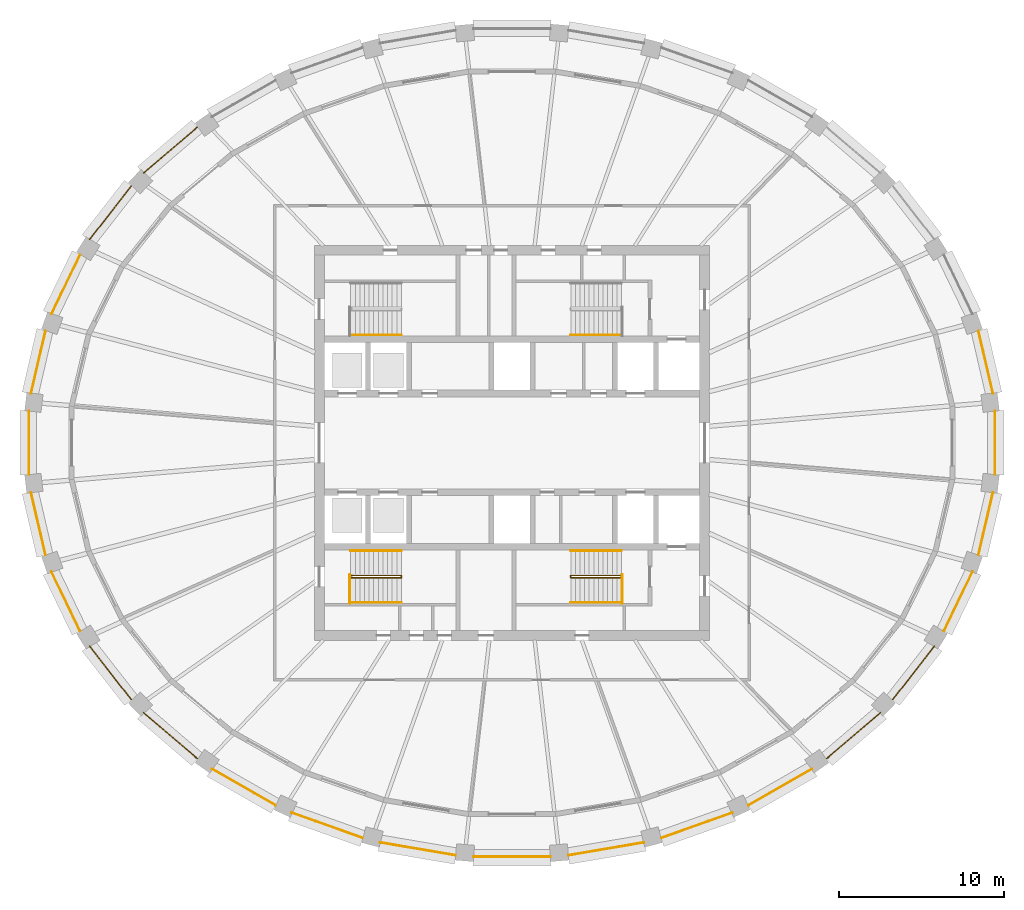
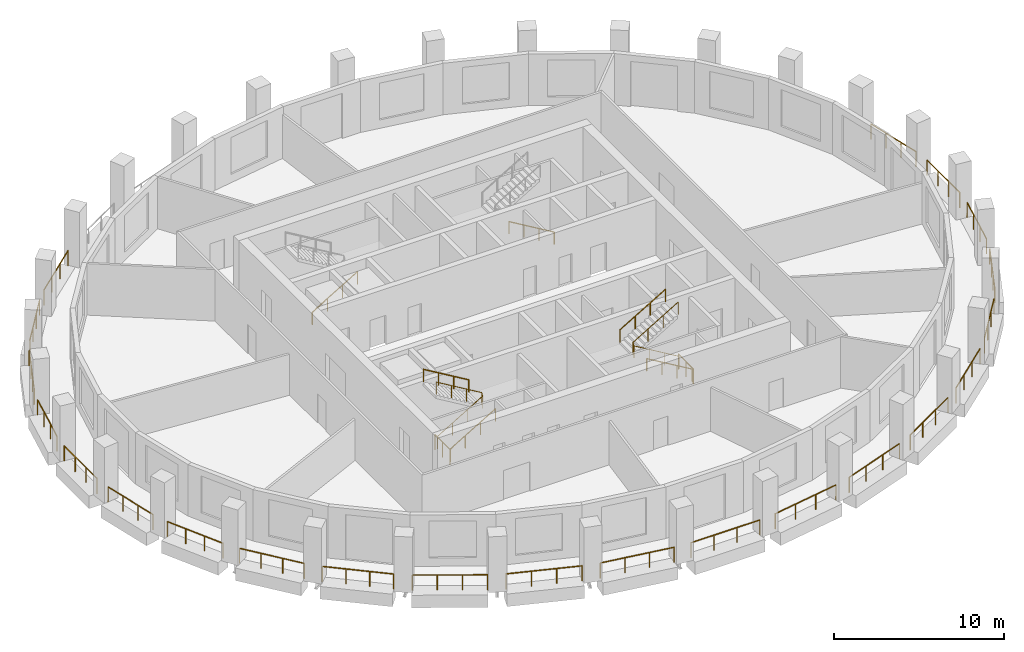
# One storey, part 8 of 10: 32 railings.
"""IFC4 building model written with IfcOpenShell, lengths in metres."""

from ifc_helpers import new_model, si_unit, direction, frame, origin, origin_2d, place, context, subcontext, project, spatial, circle, extrude, material, type_object, element, save


model = new_model("IFC4")

# Units and contexts
model_context = context("Model", 3, precision=1e-05, world=origin(), true_north=direction((0.0, 1.0)))
body_context = subcontext(model_context, "Body", "Model", "MODEL_VIEW")
ifc_project = project(units=[si_unit("LENGTHUNIT", "METRE"), si_unit("AREAUNIT", "SQUARE_METRE"), si_unit("VOLUMEUNIT", "CUBIC_METRE"), si_unit("PLANEANGLEUNIT", "RADIAN"), si_unit("MASSUNIT", "GRAM", prefix="KILO")], contexts=[model_context])

# Site, building, storey
site_placement = place(None, origin())
site = spatial("IfcSite", under=ifc_project, at=site_placement, CompositionType="ELEMENT")
building_placement = place(site_placement, origin())
building = spatial("IfcBuilding", under=site, at=building_placement, Name="Halqa Exchange Tower", CompositionType="ELEMENT")
storey_placement = place(building_placement, frame((0.0, 0.0, 288.300048828125)))
storey = spatial("IfcBuildingStorey", under=building, at=storey_placement, Name="L67", CompositionType="ELEMENT", Elevation=288.300048828125)

# Railings
ifc_material = material(Name="Stainless steel", Category="steel")
railing_type_1 = type_object("IfcRailingType", Name="Guard 1100 stainless steel", PredefinedType="GUARDRAIL", material=ifc_material)
railing_1_placement = place(storey_placement, frame((29.212890625, 3.012451171875, 0.0)))
element("IfcRailing", 1, at=railing_1_placement, inside=storey, type_object=railing_type_1, Name="Loggia guard 1", PredefinedType="GUARDRAIL", context=body_context, shape_type="SweptSolid", body=[
    extrude(circle(Radius=0.02392578125, at=origin_2d()), frame((0.0, 0.0, 1.076171875), z_axis=(-0.226038186418, 0.974118441608, 0.0), x_axis=(-0.974118441608, -0.226038186418, 0.0)), (0.0, 0.0, 1.0), 3.88720703125),
    extrude(circle(Radius=0.02099609375, at=origin_2d()), origin(), (0.0, 0.0, 1.0), 1.052001953125),
    extrude(circle(Radius=0.02099609375, at=origin_2d()), frame((-0.29296875, 1.26220703125, 0.0)), (0.0, 0.0, 1.0), 1.052001953125),
    extrude(circle(Radius=0.02099609375, at=origin_2d()), frame((-0.585693359375, 2.5244140625, 0.0)), (0.0, 0.0, 1.0), 1.052001953125),
    extrude(circle(Radius=0.02099609375, at=origin_2d()), frame((-0.878662109375, 3.78662109375, 0.0)), (0.0, 0.0, 1.0), 1.052001953125),
])
railing_2_placement = place(storey_placement, frame((-19.118896484375, 19.174560546875, 0.0)))
element("IfcRailing", 2, at=railing_2_placement, inside=storey, type_object=railing_type_1, Name="Loggia guard 12", PredefinedType="GUARDRAIL", context=body_context, shape_type="SweptSolid", body=[
    extrude(circle(Radius=0.02392578125, at=origin_2d()), frame((0.0, 0.0, 1.076171875), z_axis=(-0.759244528855, -0.650805458953, 0.0), x_axis=(0.650805458953, -0.759244528855, 0.0)), (0.0, 0.0, 1.0), 4.2822265625),
    extrude(circle(Radius=0.02099609375, at=origin_2d()), origin(), (0.0, 0.0, 1.0), 1.052001953125),
    extrude(circle(Radius=0.02099609375, at=origin_2d()), frame((-1.083740234375, -0.928955078125, 0.0)), (0.0, 0.0, 1.0), 1.052001953125),
    extrude(circle(Radius=0.02099609375, at=origin_2d()), frame((-2.16748046875, -1.85791015625, 0.0)), (0.0, 0.0, 1.0), 1.052001953125),
    extrude(circle(Radius=0.02099609375, at=origin_2d()), frame((-3.251220703125, -2.786865234375, 0.0)), (0.0, 0.0, 1.0), 1.052001953125),
])
railing_3_placement = place(storey_placement, frame((-23.1259765625, 15.595947265625, 0.0)))
element("IfcRailing", 3, at=railing_3_placement, inside=storey, type_object=railing_type_1, Name="Loggia guard 13", PredefinedType="GUARDRAIL", context=body_context, shape_type="SweptSolid", body=[
    extrude(circle(Radius=0.02392578125, at=origin_2d()), frame((0.0, 0.0, 1.076171875), z_axis=(-0.61485870665, -0.78863728726, 0.0), x_axis=(0.78863728726, -0.61485870665, 0.0)), (0.0, 0.0, 1.0), 4.1220703125),
    extrude(circle(Radius=0.02099609375, at=origin_2d()), origin(), (0.0, 0.0, 1.0), 1.052001953125),
    extrude(circle(Radius=0.02099609375, at=origin_2d()), frame((-0.8447265625, -1.08349609375, 0.0)), (0.0, 0.0, 1.0), 1.052001953125),
    extrude(circle(Radius=0.02099609375, at=origin_2d()), frame((-1.689697265625, -2.167236328125, 0.0)), (0.0, 0.0, 1.0), 1.052001953125),
    extrude(circle(Radius=0.02099609375, at=origin_2d()), frame((-2.534423828125, -3.250732421875, 0.0)), (0.0, 0.0, 1.0), 1.052001953125),
])
railing_4_placement = place(storey_placement, frame((-26.23779296875, 11.416015625, 0.0)))
element("IfcRailing", 4, at=railing_4_placement, inside=storey, type_object=railing_type_1, Name="Loggia guard 14", PredefinedType="GUARDRAIL", context=body_context, shape_type="SweptSolid", body=[
    extrude(circle(Radius=0.02392578125, at=origin_2d()), frame((0.0, 0.0, 1.076171875), z_axis=(-0.435109029549, -0.900377772052, 0.0), x_axis=(0.900377772052, -0.435109029549, 0.0)), (0.0, 0.0, 1.0), 3.982666015625),
    extrude(circle(Radius=0.02099609375, at=origin_2d()), origin(), (0.0, 0.0, 1.0), 1.052001953125),
    extrude(circle(Radius=0.02099609375, at=origin_2d()), frame((-0.57763671875, -1.1953125, 0.0)), (0.0, 0.0, 1.0), 1.052001953125),
    extrude(circle(Radius=0.02099609375, at=origin_2d()), frame((-1.1552734375, -2.390625, 0.0)), (0.0, 0.0, 1.0), 1.052001953125),
    extrude(circle(Radius=0.02099609375, at=origin_2d()), frame((-1.73291015625, -3.5859375, 0.0)), (0.0, 0.0, 1.0), 1.052001953125),
])
railing_5_placement = place(storey_placement, frame((-28.334228515625, 6.799072265625, 0.0)))
element("IfcRailing", 5, at=railing_5_placement, inside=storey, type_object=railing_type_1, Name="Loggia guard 15", PredefinedType="GUARDRAIL", context=body_context, shape_type="SweptSolid", body=[
    extrude(circle(Radius=0.02392578125, at=origin_2d()), frame((0.0, 0.0, 1.076171875), z_axis=(-0.226038186418, -0.974118441608, 0.0), x_axis=(0.974118441608, -0.226038186418, 0.0)), (0.0, 0.0, 1.0), 3.88720703125),
    extrude(circle(Radius=0.02099609375, at=origin_2d()), origin(), (0.0, 0.0, 1.0), 1.052001953125),
    extrude(circle(Radius=0.02099609375, at=origin_2d()), frame((-0.29296875, -1.26220703125, 0.0)), (0.0, 0.0, 1.0), 1.052001953125),
    extrude(circle(Radius=0.02099609375, at=origin_2d()), frame((-0.585693359375, -2.5244140625, 0.0)), (0.0, 0.0, 1.0), 1.052001953125),
    extrude(circle(Radius=0.02099609375, at=origin_2d()), frame((-0.878662109375, -3.78662109375, 0.0)), (0.0, 0.0, 1.0), 1.052001953125),
])
railing_6_placement = place(storey_placement, frame((-29.33740234375, 1.9267578125, 0.0)))
element("IfcRailing", 6, at=railing_6_placement, inside=storey, type_object=railing_type_1, Name="Loggia guard 16", PredefinedType="GUARDRAIL", context=body_context, shape_type="SweptSolid", body=[
    extrude(circle(Radius=0.02392578125, at=origin_2d()), frame((0.0, 0.0, 1.076171875), z_axis=(0.0, -1.0, 0.0), x_axis=(1.0, 0.0, 0.0)), (0.0, 0.0, 1.0), 3.853515625),
    extrude(circle(Radius=0.02099609375, at=origin_2d()), origin(), (0.0, 0.0, 1.0), 1.052001953125),
    extrude(circle(Radius=0.02099609375, at=origin_2d()), frame((0.0, -1.284423828125, 0.0)), (0.0, 0.0, 1.0), 1.052001953125),
    extrude(circle(Radius=0.02099609375, at=origin_2d()), frame((0.0, -2.569091796875, 0.0)), (0.0, 0.0, 1.0), 1.052001953125),
    extrude(circle(Radius=0.02099609375, at=origin_2d()), frame((0.0, -3.853515625, 0.0)), (0.0, 0.0, 1.0), 1.052001953125),
])
railing_7_placement = place(storey_placement, frame((-29.212890625, -3.012451171875, 0.0)))
element("IfcRailing", 7, at=railing_7_placement, inside=storey, type_object=railing_type_1, Name="Loggia guard 17", PredefinedType="GUARDRAIL", context=body_context, shape_type="SweptSolid", body=[
    extrude(circle(Radius=0.02392578125, at=origin_2d()), frame((0.0, 0.0, 1.076171875), z_axis=(0.226038186418, -0.974118441608, 0.0), x_axis=(0.974118441608, 0.226038186418, 0.0)), (0.0, 0.0, 1.0), 3.88720703125),
    extrude(circle(Radius=0.02099609375, at=origin_2d()), origin(), (0.0, 0.0, 1.0), 1.052001953125),
    extrude(circle(Radius=0.02099609375, at=origin_2d()), frame((0.29296875, -1.26220703125, 0.0)), (0.0, 0.0, 1.0), 1.052001953125),
    extrude(circle(Radius=0.02099609375, at=origin_2d()), frame((0.585693359375, -2.5244140625, 0.0)), (0.0, 0.0, 1.0), 1.052001953125),
    extrude(circle(Radius=0.02099609375, at=origin_2d()), frame((0.878662109375, -3.78662109375, 0.0)), (0.0, 0.0, 1.0), 1.052001953125),
])
railing_8_placement = place(storey_placement, frame((-27.970703125, -7.830078125, 0.0)))
element("IfcRailing", 8, at=railing_8_placement, inside=storey, type_object=railing_type_1, Name="Loggia guard 18", PredefinedType="GUARDRAIL", context=body_context, shape_type="SweptSolid", body=[
    extrude(circle(Radius=0.02392578125, at=origin_2d()), frame((0.0, 0.0, 1.076171875), z_axis=(0.435109029549, -0.900377772052, 0.0), x_axis=(0.900377772052, 0.435109029549, 0.0)), (0.0, 0.0, 1.0), 3.982666015625),
    extrude(circle(Radius=0.02099609375, at=origin_2d()), origin(), (0.0, 0.0, 1.0), 1.052001953125),
    extrude(circle(Radius=0.02099609375, at=origin_2d()), frame((0.57763671875, -1.1953125, 0.0)), (0.0, 0.0, 1.0), 1.052001953125),
    extrude(circle(Radius=0.02099609375, at=origin_2d()), frame((1.1552734375, -2.390625, 0.0)), (0.0, 0.0, 1.0), 1.052001953125),
    extrude(circle(Radius=0.02099609375, at=origin_2d()), frame((1.73291015625, -3.5859375, 0.0)), (0.0, 0.0, 1.0), 1.052001953125),
])
railing_9_placement = place(storey_placement, frame((-25.660400390625, -12.34521484375, 0.0)))
element("IfcRailing", 9, at=railing_9_placement, inside=storey, type_object=railing_type_1, Name="Loggia guard 19", PredefinedType="GUARDRAIL", context=body_context, shape_type="SweptSolid", body=[
    extrude(circle(Radius=0.02392578125, at=origin_2d()), frame((0.0, 0.0, 1.076171875), z_axis=(0.61485870665, -0.78863728726, 0.0), x_axis=(0.78863728726, 0.61485870665, 0.0)), (0.0, 0.0, 1.0), 4.1220703125),
    extrude(circle(Radius=0.02099609375, at=origin_2d()), origin(), (0.0, 0.0, 1.0), 1.052001953125),
    extrude(circle(Radius=0.02099609375, at=origin_2d()), frame((0.8447265625, -1.08349609375, 0.0)), (0.0, 0.0, 1.0), 1.052001953125),
    extrude(circle(Radius=0.02099609375, at=origin_2d()), frame((1.689697265625, -2.167236328125, 0.0)), (0.0, 0.0, 1.0), 1.052001953125),
    extrude(circle(Radius=0.02099609375, at=origin_2d()), frame((2.534423828125, -3.250732421875, 0.0)), (0.0, 0.0, 1.0), 1.052001953125),
])
railing_10_placement = place(storey_placement, frame((-22.3701171875, -16.3876953125, 0.0)))
element("IfcRailing", 10, at=railing_10_placement, inside=storey, type_object=railing_type_1, Name="Loggia guard 20", PredefinedType="GUARDRAIL", context=body_context, shape_type="SweptSolid", body=[
    extrude(circle(Radius=0.02392578125, at=origin_2d()), frame((0.0, 0.0, 1.076171875), z_axis=(0.759244528855, -0.650805458953, 0.0), x_axis=(0.650805458953, 0.759244528855, 0.0)), (0.0, 0.0, 1.0), 4.2822265625),
    extrude(circle(Radius=0.02099609375, at=origin_2d()), origin(), (0.0, 0.0, 1.0), 1.052001953125),
    extrude(circle(Radius=0.02099609375, at=origin_2d()), frame((1.083740234375, -0.928955078125, 0.0)), (0.0, 0.0, 1.0), 1.052001953125),
    extrude(circle(Radius=0.02099609375, at=origin_2d()), frame((2.16748046875, -1.85791015625, 0.0)), (0.0, 0.0, 1.0), 1.052001953125),
    extrude(circle(Radius=0.02099609375, at=origin_2d()), frame((3.251220703125, -2.786865234375, 0.0)), (0.0, 0.0, 1.0), 1.052001953125),
])
railing_11_placement = place(storey_placement, frame((-18.22412109375, -19.805908203125, 0.0)))
element("IfcRailing", 11, at=railing_11_placement, inside=storey, type_object=railing_type_1, Name="Loggia guard 21", PredefinedType="GUARDRAIL", context=body_context, shape_type="SweptSolid", body=[
    extrude(circle(Radius=0.02392578125, at=origin_2d()), frame((0.0, 0.0, 1.076171875), z_axis=(0.86776870097, -0.496968290353, 0.0), x_axis=(0.496968290353, 0.86776870097, 0.0)), (0.0, 0.0, 1.0), 4.43701171875),
    extrude(circle(Radius=0.02099609375, at=origin_2d()), origin(), (0.0, 0.0, 1.0), 1.052001953125),
    extrude(circle(Radius=0.02099609375, at=origin_2d()), frame((1.283447265625, -0.735107421875, 0.0)), (0.0, 0.0, 1.0), 1.052001953125),
    extrude(circle(Radius=0.02099609375, at=origin_2d()), frame((2.56689453125, -1.469970703125, 0.0)), (0.0, 0.0, 1.0), 1.052001953125),
    extrude(circle(Radius=0.02099609375, at=origin_2d()), frame((3.850341796875, -2.205078125, 0.0)), (0.0, 0.0, 1.0), 1.052001953125),
])
railing_12_placement = place(storey_placement, frame((-13.378173828125, -22.468505859375, 0.0)))
element("IfcRailing", 12, at=railing_12_placement, inside=storey, type_object=railing_type_1, Name="Loggia guard 22", PredefinedType="GUARDRAIL", context=body_context, shape_type="SweptSolid", body=[
    extrude(circle(Radius=0.02392578125, at=origin_2d()), frame((0.0, 0.0, 1.076171875), z_axis=(0.942382614632, -0.334537004888, 0.0), x_axis=(0.334537004888, 0.942382614632, 0.0)), (0.0, 0.0, 1.0), 4.5654296875),
    extrude(circle(Radius=0.02099609375, at=origin_2d()), origin(), (0.0, 0.0, 1.0), 1.052001953125),
    extrude(circle(Radius=0.02099609375, at=origin_2d()), frame((1.43408203125, -0.509033203125, 0.0)), (0.0, 0.0, 1.0), 1.052001953125),
    extrude(circle(Radius=0.02099609375, at=origin_2d()), frame((2.868408203125, -1.018310546875, 0.0)), (0.0, 0.0, 1.0), 1.052001953125),
    extrude(circle(Radius=0.02099609375, at=origin_2d()), frame((4.302490234375, -1.52734375, 0.0)), (0.0, 0.0, 1.0), 1.052001953125),
])
railing_13_placement = place(storey_placement, frame((-8.01513671875, -24.2724609375, 0.0)))
element("IfcRailing", 13, at=railing_13_placement, inside=storey, type_object=railing_type_1, Name="Loggia guard 23", PredefinedType="GUARDRAIL", context=body_context, shape_type="SweptSolid", body=[
    extrude(circle(Radius=0.02392578125, at=origin_2d()), frame((0.0, 0.0, 1.076171875), z_axis=(0.98578270437, -0.168025175987, 0.0), x_axis=(0.168025175987, 0.98578270437, 0.0)), (0.0, 0.0, 1.0), 4.649658203125),
    extrude(circle(Radius=0.02099609375, at=origin_2d()), origin(), (0.0, 0.0, 1.0), 1.052001953125),
    extrude(circle(Radius=0.02099609375, at=origin_2d()), frame((1.52783203125, -0.260498046875, 0.0)), (0.0, 0.0, 1.0), 1.052001953125),
    extrude(circle(Radius=0.02099609375, at=origin_2d()), frame((3.0556640625, -0.520751953125, 0.0)), (0.0, 0.0, 1.0), 1.052001953125),
    extrude(circle(Radius=0.02099609375, at=origin_2d()), frame((4.58349609375, -0.78125, 0.0)), (0.0, 0.0, 1.0), 1.052001953125),
])
railing_14_placement = place(storey_placement, frame((-2.339599609375, -25.146240234375, 0.0)))
element("IfcRailing", 14, at=railing_14_placement, inside=storey, type_object=railing_type_1, Name="Loggia guard 24", PredefinedType="GUARDRAIL", context=body_context, shape_type="SweptSolid", body=[
    extrude(circle(Radius=0.02392578125, at=origin_2d()), frame((0.0, 0.0, 1.076171875), z_axis=(1.0, 0.0, 0.0), x_axis=(0.0, 1.0, 0.0)), (0.0, 0.0, 1.0), 4.67919921875),
    extrude(circle(Radius=0.02099609375, at=origin_2d()), origin(), (0.0, 0.0, 1.0), 1.052001953125),
    extrude(circle(Radius=0.02099609375, at=origin_2d()), frame((1.559814453125, 0.0, 0.0)), (0.0, 0.0, 1.0), 1.052001953125),
    extrude(circle(Radius=0.02099609375, at=origin_2d()), frame((3.119384765625, 0.0, 0.0)), (0.0, 0.0, 1.0), 1.052001953125),
    extrude(circle(Radius=0.02099609375, at=origin_2d()), frame((4.67919921875, 0.0, 0.0)), (0.0, 0.0, 1.0), 1.052001953125),
])
railing_15_placement = place(storey_placement, frame((3.431640625, -25.0537109375, 0.0)))
element("IfcRailing", 15, at=railing_15_placement, inside=storey, type_object=railing_type_1, Name="Loggia guard 25", PredefinedType="GUARDRAIL", context=body_context, shape_type="SweptSolid", body=[
    extrude(circle(Radius=0.02392578125, at=origin_2d()), frame((0.0, 0.0, 1.076171875), z_axis=(0.98578270437, 0.168025175987, 0.0), x_axis=(-0.168025175987, 0.98578270437, 0.0)), (0.0, 0.0, 1.0), 4.649658203125),
    extrude(circle(Radius=0.02099609375, at=origin_2d()), origin(), (0.0, 0.0, 1.0), 1.052001953125),
    extrude(circle(Radius=0.02099609375, at=origin_2d()), frame((1.52783203125, 0.260498046875, 0.0)), (0.0, 0.0, 1.0), 1.052001953125),
    extrude(circle(Radius=0.02099609375, at=origin_2d()), frame((3.0556640625, 0.520751953125, 0.0)), (0.0, 0.0, 1.0), 1.052001953125),
    extrude(circle(Radius=0.02099609375, at=origin_2d()), frame((4.58349609375, 0.78125, 0.0)), (0.0, 0.0, 1.0), 1.052001953125),
])
railing_16_placement = place(storey_placement, frame((9.07568359375, -23.995849609375, 0.0)))
element("IfcRailing", 16, at=railing_16_placement, inside=storey, type_object=railing_type_1, Name="Loggia guard 26", PredefinedType="GUARDRAIL", context=body_context, shape_type="SweptSolid", body=[
    extrude(circle(Radius=0.02392578125, at=origin_2d()), frame((0.0, 0.0, 1.076171875), z_axis=(0.942382614632, 0.334537004888, 0.0), x_axis=(-0.334537004888, 0.942382614632, 0.0)), (0.0, 0.0, 1.0), 4.5654296875),
    extrude(circle(Radius=0.02099609375, at=origin_2d()), origin(), (0.0, 0.0, 1.0), 1.052001953125),
    extrude(circle(Radius=0.02099609375, at=origin_2d()), frame((1.43408203125, 0.509033203125, 0.0)), (0.0, 0.0, 1.0), 1.052001953125),
    extrude(circle(Radius=0.02099609375, at=origin_2d()), frame((2.868408203125, 1.018310546875, 0.0)), (0.0, 0.0, 1.0), 1.052001953125),
    extrude(circle(Radius=0.02099609375, at=origin_2d()), frame((4.302490234375, 1.52734375, 0.0)), (0.0, 0.0, 1.0), 1.052001953125),
])
railing_17_placement = place(storey_placement, frame((14.373779296875, -22.010986328125, 0.0)))
element("IfcRailing", 17, at=railing_17_placement, inside=storey, type_object=railing_type_1, Name="Loggia guard 27", PredefinedType="GUARDRAIL", context=body_context, shape_type="SweptSolid", body=[
    extrude(circle(Radius=0.02392578125, at=origin_2d()), frame((0.0, 0.0, 1.076171875), z_axis=(0.86776870097, 0.496968290353, 0.0), x_axis=(-0.496968290353, 0.86776870097, 0.0)), (0.0, 0.0, 1.0), 4.43701171875),
    extrude(circle(Radius=0.02099609375, at=origin_2d()), origin(), (0.0, 0.0, 1.0), 1.052001953125),
    extrude(circle(Radius=0.02099609375, at=origin_2d()), frame((1.283447265625, 0.735107421875, 0.0)), (0.0, 0.0, 1.0), 1.052001953125),
    extrude(circle(Radius=0.02099609375, at=origin_2d()), frame((2.56689453125, 1.469970703125, 0.0)), (0.0, 0.0, 1.0), 1.052001953125),
    extrude(circle(Radius=0.02099609375, at=origin_2d()), frame((3.850341796875, 2.205078125, 0.0)), (0.0, 0.0, 1.0), 1.052001953125),
])
railing_18_placement = place(storey_placement, frame((19.118896484375, -19.174560546875, 0.0)))
element("IfcRailing", 18, at=railing_18_placement, inside=storey, type_object=railing_type_1, Name="Loggia guard 28", PredefinedType="GUARDRAIL", context=body_context, shape_type="SweptSolid", body=[
    extrude(circle(Radius=0.02392578125, at=origin_2d()), frame((0.0, 0.0, 1.076171875), z_axis=(0.759244528855, 0.650805458953, 0.0), x_axis=(-0.650805458953, 0.759244528855, 0.0)), (0.0, 0.0, 1.0), 4.2822265625),
    extrude(circle(Radius=0.02099609375, at=origin_2d()), origin(), (0.0, 0.0, 1.0), 1.052001953125),
    extrude(circle(Radius=0.02099609375, at=origin_2d()), frame((1.083740234375, 0.928955078125, 0.0)), (0.0, 0.0, 1.0), 1.052001953125),
    extrude(circle(Radius=0.02099609375, at=origin_2d()), frame((2.16748046875, 1.85791015625, 0.0)), (0.0, 0.0, 1.0), 1.052001953125),
    extrude(circle(Radius=0.02099609375, at=origin_2d()), frame((3.251220703125, 2.786865234375, 0.0)), (0.0, 0.0, 1.0), 1.052001953125),
])
railing_19_placement = place(storey_placement, frame((23.1259765625, -15.595947265625, 0.0)))
element("IfcRailing", 19, at=railing_19_placement, inside=storey, type_object=railing_type_1, Name="Loggia guard 29", PredefinedType="GUARDRAIL", context=body_context, shape_type="SweptSolid", body=[
    extrude(circle(Radius=0.02392578125, at=origin_2d()), frame((0.0, 0.0, 1.076171875), z_axis=(0.61485870665, 0.78863728726, 0.0), x_axis=(-0.78863728726, 0.61485870665, 0.0)), (0.0, 0.0, 1.0), 4.1220703125),
    extrude(circle(Radius=0.02099609375, at=origin_2d()), origin(), (0.0, 0.0, 1.0), 1.052001953125),
    extrude(circle(Radius=0.02099609375, at=origin_2d()), frame((0.8447265625, 1.08349609375, 0.0)), (0.0, 0.0, 1.0), 1.052001953125),
    extrude(circle(Radius=0.02099609375, at=origin_2d()), frame((1.689697265625, 2.167236328125, 0.0)), (0.0, 0.0, 1.0), 1.052001953125),
    extrude(circle(Radius=0.02099609375, at=origin_2d()), frame((2.534423828125, 3.250732421875, 0.0)), (0.0, 0.0, 1.0), 1.052001953125),
])
railing_20_placement = place(storey_placement, frame((26.23779296875, -11.416015625, 0.0)))
element("IfcRailing", 20, at=railing_20_placement, inside=storey, type_object=railing_type_1, Name="Loggia guard 30", PredefinedType="GUARDRAIL", context=body_context, shape_type="SweptSolid", body=[
    extrude(circle(Radius=0.02392578125, at=origin_2d()), frame((0.0, 0.0, 1.076171875), z_axis=(0.435109029549, 0.900377772052, 0.0), x_axis=(-0.900377772052, 0.435109029549, 0.0)), (0.0, 0.0, 1.0), 3.982666015625),
    extrude(circle(Radius=0.02099609375, at=origin_2d()), origin(), (0.0, 0.0, 1.0), 1.052001953125),
    extrude(circle(Radius=0.02099609375, at=origin_2d()), frame((0.57763671875, 1.1953125, 0.0)), (0.0, 0.0, 1.0), 1.052001953125),
    extrude(circle(Radius=0.02099609375, at=origin_2d()), frame((1.1552734375, 2.390625, 0.0)), (0.0, 0.0, 1.0), 1.052001953125),
    extrude(circle(Radius=0.02099609375, at=origin_2d()), frame((1.73291015625, 3.5859375, 0.0)), (0.0, 0.0, 1.0), 1.052001953125),
])
railing_21_placement = place(storey_placement, frame((28.334228515625, -6.799072265625, 0.0)))
element("IfcRailing", 21, at=railing_21_placement, inside=storey, type_object=railing_type_1, Name="Loggia guard 31", PredefinedType="GUARDRAIL", context=body_context, shape_type="SweptSolid", body=[
    extrude(circle(Radius=0.02392578125, at=origin_2d()), frame((0.0, 0.0, 1.076171875), z_axis=(0.226038186418, 0.974118441608, 0.0), x_axis=(-0.974118441608, 0.226038186418, 0.0)), (0.0, 0.0, 1.0), 3.88720703125),
    extrude(circle(Radius=0.02099609375, at=origin_2d()), origin(), (0.0, 0.0, 1.0), 1.052001953125),
    extrude(circle(Radius=0.02099609375, at=origin_2d()), frame((0.29296875, 1.26220703125, 0.0)), (0.0, 0.0, 1.0), 1.052001953125),
    extrude(circle(Radius=0.02099609375, at=origin_2d()), frame((0.585693359375, 2.5244140625, 0.0)), (0.0, 0.0, 1.0), 1.052001953125),
    extrude(circle(Radius=0.02099609375, at=origin_2d()), frame((0.878662109375, 3.78662109375, 0.0)), (0.0, 0.0, 1.0), 1.052001953125),
])
railing_22_placement = place(storey_placement, frame((29.33740234375, -1.9267578125, 0.0)))
element("IfcRailing", 22, at=railing_22_placement, inside=storey, type_object=railing_type_1, Name="Loggia guard 32", PredefinedType="GUARDRAIL", context=body_context, shape_type="SweptSolid", body=[
    extrude(circle(Radius=0.02392578125, at=origin_2d()), frame((0.0, 0.0, 1.076171875), z_axis=(0.0, 1.0, 0.0), x_axis=(-1.0, 0.0, 0.0)), (0.0, 0.0, 1.0), 3.853515625),
    extrude(circle(Radius=0.02099609375, at=origin_2d()), origin(), (0.0, 0.0, 1.0), 1.052001953125),
    extrude(circle(Radius=0.02099609375, at=origin_2d()), frame((0.0, 1.284423828125, 0.0)), (0.0, 0.0, 1.0), 1.052001953125),
    extrude(circle(Radius=0.02099609375, at=origin_2d()), frame((0.0, 2.569091796875, 0.0)), (0.0, 0.0, 1.0), 1.052001953125),
    extrude(circle(Radius=0.02099609375, at=origin_2d()), frame((0.0, 3.853515625, 0.0)), (0.0, 0.0, 1.0), 1.052001953125),
])
railing_type_2 = type_object("IfcRailingType", Name="Stair handrail 900", PredefinedType="HANDRAIL", material=ifc_material)
railing_23_placement = place(storey_placement, frame((-9.800048828125, 6.550048828125, 0.166748046875)))
element("IfcRailing", 23, at=railing_23_placement, inside=storey, type_object=railing_type_2, Name="Handrail ST1.2", PredefinedType="HANDRAIL", context=body_context, shape_type="SweptSolid", body=[
    extrude(circle(Radius=0.02392578125, at=origin_2d()), frame((0.0, 0.0, 0.8759765625), z_axis=(0.859308565015, 0.0, 0.511457515432), x_axis=(0.0, 1.0, 0.0)), (0.0, 0.0, 1.0), 3.58447265625),
    extrude(circle(Radius=0.02099609375, at=origin_2d()), origin(), (0.0, 0.0, 1.0), 0.851806640625),
    extrude(circle(Radius=0.02099609375, at=origin_2d()), frame((1.026611328125, 0.0, 0.611083984375)), (0.0, 0.0, 1.0), 0.851806640625),
    extrude(circle(Radius=0.02099609375, at=origin_2d()), frame((2.053466796875, 0.0, 1.22216796875)), (0.0, 0.0, 1.0), 0.851806640625),
    extrude(circle(Radius=0.02099609375, at=origin_2d()), frame((3.080078125, 0.0, 1.833251953125)), (0.0, 0.0, 1.0), 0.851806640625),
])
railing_24_placement = place(storey_placement, frame((6.64990234375, 6.550048828125, 0.166748046875)))
element("IfcRailing", 24, at=railing_24_placement, inside=storey, type_object=railing_type_2, Name="Handrail ST2.2", PredefinedType="HANDRAIL", context=body_context, shape_type="SweptSolid", body=[
    extrude(circle(Radius=0.02392578125, at=origin_2d()), frame((0.0, 0.0, 0.8759765625), z_axis=(-0.859290745958, 0.0, 0.51148745235), x_axis=(0.0, -1.0, 0.0)), (0.0, 0.0, 1.0), 3.584228515625),
    extrude(circle(Radius=0.02099609375, at=origin_2d()), origin(), (0.0, 0.0, 1.0), 0.851806640625),
    extrude(circle(Radius=0.02099609375, at=origin_2d()), frame((-1.026611328125, 0.0, 0.611083984375)), (0.0, 0.0, 1.0), 0.851806640625),
    extrude(circle(Radius=0.02099609375, at=origin_2d()), frame((-2.05322265625, 0.0, 1.22216796875)), (0.0, 0.0, 1.0), 0.851806640625),
    extrude(circle(Radius=0.02099609375, at=origin_2d()), frame((-3.079833984375, 0.0, 1.833251953125)), (0.0, 0.0, 1.0), 0.851806640625),
])
railing_25_placement = place(storey_placement, frame((-9.800048828125, -8.18994140625, 0.166748046875)))
element("IfcRailing", 25, at=railing_25_placement, inside=storey, type_object=railing_type_2, Name="Handrail ST3.1", PredefinedType="HANDRAIL", context=body_context, shape_type="SweptSolid", body=[
    extrude(circle(Radius=0.02392578125, at=origin_2d()), frame((0.0, 0.0, 0.8759765625), z_axis=(0.859308565015, 0.0, 0.511457515432), x_axis=(0.0, 1.0, 0.0)), (0.0, 0.0, 1.0), 3.58447265625),
    extrude(circle(Radius=0.02392578125, at=origin_2d()), frame((3.080078125, 0.0, 2.708984375), z_axis=(0.0, 0.614500226555, 0.788916644243), x_axis=(-1.0, 0.0, 0.0)), (0.0, 0.0, 1.0), 0.21142578125),
    extrude(circle(Radius=0.02392578125, at=origin_2d()), frame((3.080078125, 0.1298828125, 2.8759765625), z_axis=(-0.859308565015, 0.0, 0.511457515432), x_axis=(0.0, -1.0, 0.0)), (0.0, 0.0, 1.0), 3.58447265625),
    extrude(circle(Radius=0.02099609375, at=origin_2d()), origin(), (0.0, 0.0, 1.0), 0.851806640625),
    extrude(circle(Radius=0.02099609375, at=origin_2d()), frame((1.026611328125, 0.0, 0.611083984375)), (0.0, 0.0, 1.0), 0.851806640625),
    extrude(circle(Radius=0.02099609375, at=origin_2d()), frame((2.053466796875, 0.0, 1.22216796875)), (0.0, 0.0, 1.0), 0.851806640625),
    extrude(circle(Radius=0.02099609375, at=origin_2d()), frame((3.080078125, 0.0, 1.833251953125)), (0.0, 0.0, 1.0), 0.851806640625),
    extrude(circle(Radius=0.02099609375, at=origin_2d()), frame((3.080078125, 0.1298828125, 2.0)), (0.0, 0.0, 1.0), 0.851806640625),
    extrude(circle(Radius=0.02099609375, at=origin_2d()), frame((2.053466796875, 0.1298828125, 2.611083984375)), (0.0, 0.0, 1.0), 0.851806640625),
    extrude(circle(Radius=0.02099609375, at=origin_2d()), frame((1.026611328125, 0.1298828125, 3.22216796875)), (0.0, 0.0, 1.0), 0.851806640625),
    extrude(circle(Radius=0.02099609375, at=origin_2d()), frame((0.0, 0.1298828125, 3.833251953125)), (0.0, 0.0, 1.0), 0.851806640625),
])
railing_26_placement = place(storey_placement, frame((-9.800048828125, -9.699951171875, 0.166748046875)))
element("IfcRailing", 26, at=railing_26_placement, inside=storey, type_object=railing_type_2, Name="Handrail ST3.2", PredefinedType="HANDRAIL", context=body_context, shape_type="SweptSolid", body=[
    extrude(circle(Radius=0.02392578125, at=origin_2d()), frame((0.0, 0.0, 0.8759765625), z_axis=(0.859308565015, 0.0, 0.511457515432), x_axis=(0.0, 1.0, 0.0)), (0.0, 0.0, 1.0), 3.58447265625),
    extrude(circle(Radius=0.02099609375, at=origin_2d()), origin(), (0.0, 0.0, 1.0), 0.851806640625),
    extrude(circle(Radius=0.02099609375, at=origin_2d()), frame((1.026611328125, 0.0, 0.611083984375)), (0.0, 0.0, 1.0), 0.851806640625),
    extrude(circle(Radius=0.02099609375, at=origin_2d()), frame((2.053466796875, 0.0, 1.22216796875)), (0.0, 0.0, 1.0), 0.851806640625),
    extrude(circle(Radius=0.02099609375, at=origin_2d()), frame((3.080078125, 0.0, 1.833251953125)), (0.0, 0.0, 1.0), 0.851806640625),
])
railing_27_placement = place(storey_placement, frame((-6.719970703125, -6.550048828125, 2.166748046875)))
element("IfcRailing", 27, at=railing_27_placement, inside=storey, type_object=railing_type_2, Name="Handrail ST3.3", PredefinedType="HANDRAIL", context=body_context, shape_type="SweptSolid", body=[
    extrude(circle(Radius=0.02392578125, at=origin_2d()), frame((0.0, 0.0, 0.8759765625), z_axis=(-0.859308565015, 0.0, 0.511457515432), x_axis=(0.0, -1.0, 0.0)), (0.0, 0.0, 1.0), 3.58447265625),
    extrude(circle(Radius=0.02099609375, at=origin_2d()), origin(), (0.0, 0.0, 1.0), 0.851806640625),
    extrude(circle(Radius=0.02099609375, at=origin_2d()), frame((-1.026611328125, 0.0, 0.611083984375)), (0.0, 0.0, 1.0), 0.851806640625),
    extrude(circle(Radius=0.02099609375, at=origin_2d()), frame((-2.053466796875, 0.0, 1.22216796875)), (0.0, 0.0, 1.0), 0.851806640625),
    extrude(circle(Radius=0.02099609375, at=origin_2d()), frame((-3.080078125, 0.0, 1.833251953125)), (0.0, 0.0, 1.0), 0.851806640625),
])
railing_28_placement = place(storey_placement, frame((6.64990234375, -8.18994140625, 0.166748046875)))
element("IfcRailing", 28, at=railing_28_placement, inside=storey, type_object=railing_type_2, Name="Handrail ST4.1", PredefinedType="HANDRAIL", context=body_context, shape_type="SweptSolid", body=[
    extrude(circle(Radius=0.02392578125, at=origin_2d()), frame((0.0, 0.0, 0.8759765625), z_axis=(-0.859290745958, 0.0, 0.51148745235), x_axis=(0.0, -1.0, 0.0)), (0.0, 0.0, 1.0), 3.584228515625),
    extrude(circle(Radius=0.02392578125, at=origin_2d()), frame((-3.079833984375, 0.0, 2.708984375), z_axis=(0.0, 0.614500226555, 0.788916644243), x_axis=(-1.0, 0.0, 0.0)), (0.0, 0.0, 1.0), 0.21142578125),
    extrude(circle(Radius=0.02392578125, at=origin_2d()), frame((-3.079833984375, 0.1298828125, 2.8759765625), z_axis=(0.859290745958, 0.0, 0.51148745235), x_axis=(0.0, 1.0, 0.0)), (0.0, 0.0, 1.0), 3.584228515625),
    extrude(circle(Radius=0.02099609375, at=origin_2d()), origin(), (0.0, 0.0, 1.0), 0.851806640625),
    extrude(circle(Radius=0.02099609375, at=origin_2d()), frame((-1.026611328125, 0.0, 0.611083984375)), (0.0, 0.0, 1.0), 0.851806640625),
    extrude(circle(Radius=0.02099609375, at=origin_2d()), frame((-2.05322265625, 0.0, 1.22216796875)), (0.0, 0.0, 1.0), 0.851806640625),
    extrude(circle(Radius=0.02099609375, at=origin_2d()), frame((-3.079833984375, 0.0, 1.833251953125)), (0.0, 0.0, 1.0), 0.851806640625),
    extrude(circle(Radius=0.02099609375, at=origin_2d()), frame((-3.079833984375, 0.1298828125, 2.0)), (0.0, 0.0, 1.0), 0.851806640625),
    extrude(circle(Radius=0.02099609375, at=origin_2d()), frame((-2.05322265625, 0.1298828125, 2.611083984375)), (0.0, 0.0, 1.0), 0.851806640625),
    extrude(circle(Radius=0.02099609375, at=origin_2d()), frame((-1.026611328125, 0.1298828125, 3.22216796875)), (0.0, 0.0, 1.0), 0.851806640625),
    extrude(circle(Radius=0.02099609375, at=origin_2d()), frame((0.0, 0.1298828125, 3.833251953125)), (0.0, 0.0, 1.0), 0.851806640625),
])
railing_29_placement = place(storey_placement, frame((6.64990234375, -9.699951171875, 0.166748046875)))
element("IfcRailing", 29, at=railing_29_placement, inside=storey, type_object=railing_type_2, Name="Handrail ST4.2", PredefinedType="HANDRAIL", context=body_context, shape_type="SweptSolid", body=[
    extrude(circle(Radius=0.02392578125, at=origin_2d()), frame((0.0, 0.0, 0.8759765625), z_axis=(-0.859290745958, 0.0, 0.51148745235), x_axis=(0.0, -1.0, 0.0)), (0.0, 0.0, 1.0), 3.584228515625),
    extrude(circle(Radius=0.02099609375, at=origin_2d()), origin(), (0.0, 0.0, 1.0), 0.851806640625),
    extrude(circle(Radius=0.02099609375, at=origin_2d()), frame((-1.026611328125, 0.0, 0.611083984375)), (0.0, 0.0, 1.0), 0.851806640625),
    extrude(circle(Radius=0.02099609375, at=origin_2d()), frame((-2.05322265625, 0.0, 1.22216796875)), (0.0, 0.0, 1.0), 0.851806640625),
    extrude(circle(Radius=0.02099609375, at=origin_2d()), frame((-3.079833984375, 0.0, 1.833251953125)), (0.0, 0.0, 1.0), 0.851806640625),
])
railing_30_placement = place(storey_placement, frame((3.570068359375, -6.550048828125, 2.166748046875)))
element("IfcRailing", 30, at=railing_30_placement, inside=storey, type_object=railing_type_2, Name="Handrail ST4.3", PredefinedType="HANDRAIL", context=body_context, shape_type="SweptSolid", body=[
    extrude(circle(Radius=0.02392578125, at=origin_2d()), frame((0.0, 0.0, 0.8759765625), z_axis=(0.859290745958, 0.0, 0.51148745235), x_axis=(0.0, 1.0, 0.0)), (0.0, 0.0, 1.0), 3.584228515625),
    extrude(circle(Radius=0.02099609375, at=origin_2d()), origin(), (0.0, 0.0, 1.0), 0.851806640625),
    extrude(circle(Radius=0.02099609375, at=origin_2d()), frame((1.026611328125, 0.0, 0.611083984375)), (0.0, 0.0, 1.0), 0.851806640625),
    extrude(circle(Radius=0.02099609375, at=origin_2d()), frame((2.05322265625, 0.0, 1.22216796875)), (0.0, 0.0, 1.0), 0.851806640625),
    extrude(circle(Radius=0.02099609375, at=origin_2d()), frame((3.079833984375, 0.0, 1.833251953125)), (0.0, 0.0, 1.0), 0.851806640625),
])
railing_type_3 = type_object("IfcRailingType", Name="Stair well guard 1100", PredefinedType="GUARDRAIL", material=ifc_material)
for number, where, name in (
    (31, (-9.85009765625, -9.75, 0.0), "Guard ST3 well"),
    (32, (6.699951171875, -9.75, 0.0), "Guard ST4 well"),
):
    element("IfcRailing", number, at=place(storey_placement, frame(where)), inside=storey, type_object=railing_type_3, Name=name, PredefinedType="GUARDRAIL", context=body_context, shape_type="SweptSolid", body=[
        extrude(circle(Radius=0.02392578125, at=origin_2d()), frame((0.0, 0.0, 1.076171875), z_axis=(0.0, 1.0, 0.0), x_axis=(-1.0, 0.0, 0.0)), (0.0, 0.0, 1.0), 1.75),
        extrude(circle(Radius=0.02099609375, at=origin_2d()), origin(), (0.0, 0.0, 1.0), 1.052001953125),
        extrude(circle(Radius=0.02099609375, at=origin_2d()), frame((0.0, 0.875, 0.0)), (0.0, 0.0, 1.0), 1.052001953125),
        extrude(circle(Radius=0.02099609375, at=origin_2d()), frame((0.0, 1.75, 0.0)), (0.0, 0.0, 1.0), 1.052001953125),
    ])

save(model, "model.ifc")
